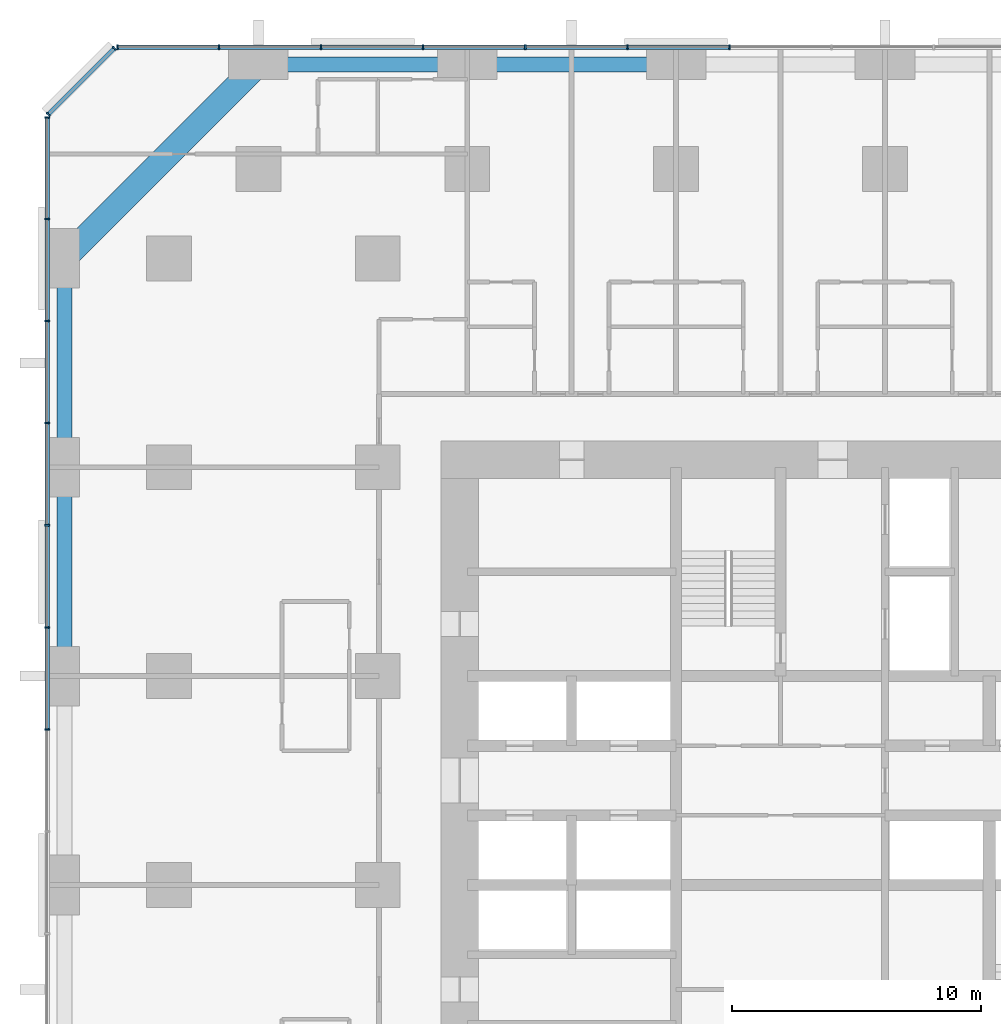
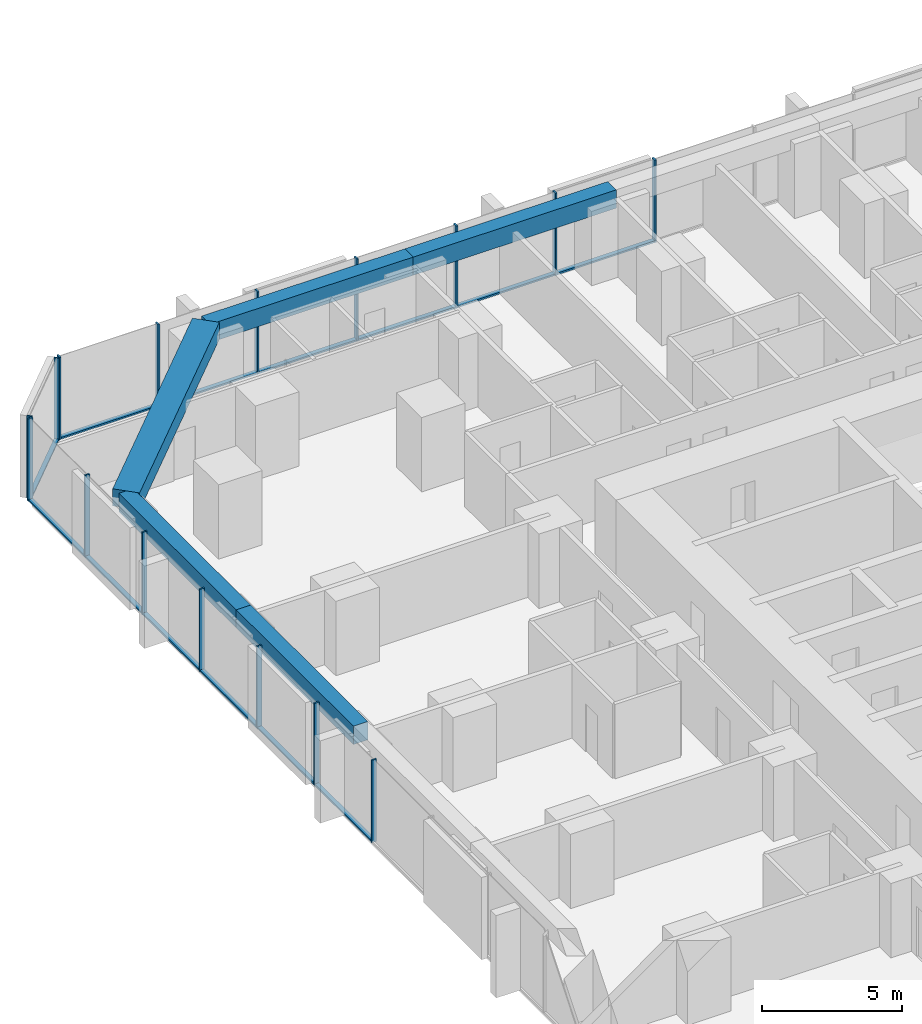
# One storey, part 6 of 17: 29 members, 5 beams, 3 elements without a shape of their own.
"""IFC4 building model written with IfcOpenShell, lengths in metres."""

import ifcopenshell
import ifcopenshell.guid

model = None  # the IFC model being written
_history = None  # IfcOwnerHistory: only IFC2X3 demands one
_inside = {}  # id of a spatial element -> (the spatial element, [elements in it])
_under = {}  # id of a project, library or spatial element -> (it, [spatial elements below it])
_declared = {}  # id of a project -> (the project, [libraries it declares])
_typed = {}  # id of a type object -> (the type object, [elements of that type])
_made_of = {}  # id of a material, layer set ... -> (it, [elements and type objects made of it])


def new_model(schema):
    """Start an empty IFC model of exactly this schema.

    Asked for "IFC4X3", IfcOpenShell would pick the latest addendum, in which some entities
    have other attributes; the version numbers below select the first issue.
    IFC2X3 requires an IfcOwnerHistory on every rooted entity: one is made here for all.
    """
    global model, _history
    if schema == "IFC4X3":
        model = ifcopenshell.file(schema_version=(4, 3, 0, 0))
    else:
        model = ifcopenshell.file(schema=schema)
    _inside.clear()
    _under.clear()
    _declared.clear()
    _typed.clear()
    _made_of.clear()
    _history = None
    if model.schema == "IFC2X3":
        org = make("IfcOrganization", Name="unknown")
        user = make(
            "IfcPersonAndOrganization",
            ThePerson=make("IfcPerson", FamilyName="unknown"),
            TheOrganization=org,
        )
        app = make(
            "IfcApplication",
            ApplicationDeveloper=org,
            Version="unknown",
            ApplicationFullName="unknown",
            ApplicationIdentifier="unknown",
        )
        _history = make(
            "IfcOwnerHistory",
            OwningUser=user,
            OwningApplication=app,
            ChangeAction="ADDED",
            CreationDate=0,
        )
    return model


def make(cls, **values):
    """One entity of the class cls with the attributes given. An attribute that is None is left unset."""
    return model.create_entity(
        cls, **{name: value for name, value in values.items() if value is not None}
    )


def rooted(cls, **values):
    """An entity with a GlobalId (a new one), such as an element, a storey or a relation."""
    return make(cls, GlobalId=ifcopenshell.guid.new(), OwnerHistory=_history, **values)


def si_unit(unit_type, name, prefix=None):
    """IfcSIUnit, for example si_unit("LENGTHUNIT", "METRE", prefix="MILLI")."""
    return make("IfcSIUnit", UnitType=unit_type, Prefix=prefix, Name=name)


def assignment(units):
    """IfcUnitAssignment: the units of a project."""
    return None if units is None else make("IfcUnitAssignment", Units=units)


def point(xyz):
    """IfcCartesianPoint."""
    return None if xyz is None else make("IfcCartesianPoint", Coordinates=xyz)


def direction(xyz):
    """IfcDirection."""
    return None if xyz is None else make("IfcDirection", DirectionRatios=xyz)


def frame(location, z_axis=None, x_axis=None):
    """IfcAxis2Placement3D, a coordinate frame: its origin and axes. An axis left out is left unset."""
    return make(
        "IfcAxis2Placement3D",
        Location=point(location),
        Axis=direction(z_axis),
        RefDirection=direction(x_axis),
    )


def frame_2d(location, x_axis=None):
    """IfcAxis2Placement2D, a coordinate frame in the plane: its origin and x axis."""
    return make(
        "IfcAxis2Placement2D", Location=point(location), RefDirection=direction(x_axis)
    )


def origin():
    """The frame at (0, 0, 0) with its axes left unset."""
    return frame((0.0, 0.0, 0.0))


def origin_2d():
    """The frame at (0, 0) in the plane with its x axis left unset."""
    return frame_2d((0.0, 0.0))


def place(relative_to, where):
    """IfcLocalPlacement: puts the frame where relative to a parent placement (None: the world)."""
    return make(
        "IfcLocalPlacement", PlacementRelTo=relative_to, RelativePlacement=where
    )


def context(
    kind, dimensions, precision=None, world=None, true_north=None, identifier=None
):
    """IfcGeometricRepresentationContext, for example the 3D "Model" context."""
    return make(
        "IfcGeometricRepresentationContext",
        ContextIdentifier=identifier,
        ContextType=kind,
        CoordinateSpaceDimension=dimensions,
        Precision=precision,
        WorldCoordinateSystem=world,
        TrueNorth=true_north,
    )


def subcontext(parent, identifier, kind, view, scale=None):
    """IfcGeometricRepresentationSubContext, for example "Body" below "Model"."""
    return make(
        "IfcGeometricRepresentationSubContext",
        ContextIdentifier=identifier,
        ContextType=kind,
        ParentContext=parent,
        TargetScale=scale,
        TargetView=view,
    )


def project(units=None, contexts=None):
    """IfcProject with its units and contexts."""
    return rooted(
        "IfcProject",
        Name="project",
        RepresentationContexts=contexts,
        UnitsInContext=assignment(units),
    )


def spatial(cls, under=None, at=None, **own):
    """A site, building, storey or space (cls), placed at a placement, below another one or the project."""
    s = rooted(cls, ObjectPlacement=at, **own)
    if under is not None:
        _under.setdefault(under.id(), (under, []))[1].append(s)
    return s


def profile(cls, at=None, kind="AREA", **sizes):
    """A parametric profile (cls). Its sizes go by their IFC names, for example OverallWidth=200.0."""
    return make(cls, ProfileType=kind, Position=at, **sizes)


def rectangle(**sizes):
    """IfcRectangleProfileDef."""
    return profile("IfcRectangleProfileDef", **sizes)


def extrude(swept, where, along, depth):
    """IfcExtrudedAreaSolid: the profile swept, set in the frame where, extruded along a direction by depth."""
    return make(
        "IfcExtrudedAreaSolid",
        SweptArea=swept,
        Position=where,
        ExtrudedDirection=direction(along),
        Depth=depth,
    )


def shape(context_of_items, identifier, shape_type, items):
    """IfcShapeRepresentation: the items that make up one representation, for example the "Body"."""
    return make(
        "IfcShapeRepresentation",
        ContextOfItems=context_of_items,
        RepresentationIdentifier=identifier,
        RepresentationType=shape_type,
        Items=items,
    )


def material(Name=None, Category=None):
    """IfcMaterial."""
    return make("IfcMaterial", Name=Name, Category=Category)


def material_profile(
    of_material, cross_section, Name=None, Category=None, Priority=None
):
    """IfcMaterialProfile: a cross section and its material."""
    return make(
        "IfcMaterialProfile",
        Name=Name,
        Material=of_material,
        Profile=cross_section,
        Priority=Priority,
        Category=Category,
    )


def profile_set(profiles, Name=None, composite=None):
    """IfcMaterialProfileSet."""
    return make(
        "IfcMaterialProfileSet",
        Name=Name,
        MaterialProfiles=profiles,
        CompositeProfile=composite,
    )


def made_of(thing, what):
    """Note that an element or type object is made of a material, layer set ...; save() writes the relation."""
    if what is not None:
        _made_of.setdefault(what.id(), (what, []))[1].append(thing)
    return thing


def type_object(cls, material=None, **own):
    """A type object (cls), such as IfcWallType, which elements share."""
    return made_of(rooted(cls, **own), material)


def element(
    cls,
    number,
    at=None,
    inside=None,
    cuts=None,
    type_object=None,
    material=None,
    context=None,
    identifier="Body",
    shape_type=None,
    held_by="IfcProductDefinitionShape",
    body=None,
    shapes=None,
    **own,
):
    """One element of the class cls, such as IfcWall. Its Tag is "e" and its number.

    at: its placement. inside: the storey or other place that contains it. cuts: it is an
    opening in that element (IfcRelVoidsElement). A single representation is given by context,
    identifier, shape_type and body (its items); several are given by shapes. held_by: the class
    of the entity that holds the representations. save() writes the other relations.
    """
    e = rooted(cls, Tag="e%d" % number, ObjectPlacement=at, **own)
    if body is not None:
        shapes = [shape(context, identifier, shape_type, body)]
    if shapes is not None:
        e.Representation = make(held_by, Representations=shapes)
    if inside is not None:
        _inside.setdefault(inside.id(), (inside, []))[1].append(e)
    if cuts is not None:
        rooted(
            "IfcRelVoidsElement", RelatingBuildingElement=cuts, RelatedOpeningElement=e
        )
    if type_object is not None:
        _typed.setdefault(type_object.id(), (type_object, []))[1].append(e)
    return made_of(e, material)


def aggregate(whole, parts):
    """IfcRelAggregates: a whole, such as a stair, and the parts it consists of."""
    return rooted("IfcRelAggregates", RelatingObject=whole, RelatedObjects=parts)


def save(model, path):
    """Write the relations noted so far, then the file.

    IfcRelAggregates (storeys below a building ...), IfcRelContainedInSpatialStructure (elements
    in a storey), IfcRelDefinesByType, IfcRelAssociatesMaterial and IfcRelDeclares: one each for
    every whole, place, type object, material and project.
    """
    for whole, parts in _under.values():
        aggregate(whole, parts)
    for where, things in _inside.values():
        rooted(
            "IfcRelContainedInSpatialStructure",
            RelatedElements=things,
            RelatingStructure=where,
        )
    for kind, things in _typed.values():
        rooted("IfcRelDefinesByType", RelatedObjects=things, RelatingType=kind)
    for what, things in _made_of.values():
        rooted("IfcRelAssociatesMaterial", RelatedObjects=things, RelatingMaterial=what)
    for by, libraries in _declared.values():
        rooted("IfcRelDeclares", RelatingContext=by, RelatedDefinitions=libraries)
    model.write(path)


model = new_model("IFC4")

# Units and contexts
model_context = context("Model", 3, precision=1e-05, world=origin(), true_north=direction((0.0, 1.0)))
body_context = subcontext(model_context, "Body", "Model", "MODEL_VIEW")
ifc_project = project(units=[si_unit("LENGTHUNIT", "METRE"), si_unit("AREAUNIT", "SQUARE_METRE"), si_unit("VOLUMEUNIT", "CUBIC_METRE"), si_unit("PLANEANGLEUNIT", "RADIAN"), si_unit("MASSUNIT", "GRAM", prefix="KILO")], contexts=[model_context])

# Site, building, storey
site_placement = place(None, origin())
site = spatial("IfcSite", under=ifc_project, at=site_placement, CompositionType="ELEMENT")
building_placement = place(site_placement, origin())
building = spatial("IfcBuilding", under=site, at=building_placement, Name="Dunama Terrace Hotel", CompositionType="ELEMENT")
storey_placement = place(building_placement, frame((0.0, 0.0, 63.0)))
storey = spatial("IfcBuildingStorey", under=building, at=storey_placement, Name="L15", CompositionType="ELEMENT", Elevation=63.0)

# Curtain wall, members
ifc_material_1 = material(Name="Aluminium curtain wall system", Category="aluminium")
curtain_wall_type = type_object("IfcCurtainWallType", Name="Unitised fritted glass wall CW-A", PredefinedType="NOTDEFINED", material=ifc_material_1)
curtain_wall_1_placement = place(storey_placement, origin())
curtain_wall_1 = element("IfcCurtainWall", 1, at=curtain_wall_1_placement, inside=storey, type_object=curtain_wall_type, Name="Unitised fritted glass wall CW-A L15", PredefinedType="NOTDEFINED")
ifc_material_2 = material(Name="Aluminium mullion", Category="aluminium")
ifc_material_profile_1 = material_profile(ifc_material_2, rectangle(XDim=0.06494140625, YDim=0.199951171875, at=origin_2d()), Name="CWA MULLION 65X200")
ifc_profile_set_1 = profile_set([ifc_material_profile_1], Name="Aluminium mullion")
member_type_1 = type_object("IfcMemberType", Name="CWA mullion 65x200", PredefinedType="MULLION", material=ifc_profile_set_1)
member_1_placement = place(storey_placement, frame((27.345947265625, 58.89990234375, 0.0), z_axis=(0.0, 0.0, 1.0), x_axis=(-1.0, 0.0, 0.0)))
member_1 = element("IfcMember", 2, at=member_1_placement, type_object=member_type_1, Name="CWA mullion", PredefinedType="MULLION", context=body_context, shape_type="SweptSolid", body=[
    extrude(rectangle(XDim=0.06494140625, YDim=0.199951171875, at=origin_2d()), origin(), (0.0, 0.0, 1.0), 3.60009765625),
])
member_2_placement = place(storey_placement, frame((23.238037109375, 58.89990234375, 0.0), z_axis=(0.0, 0.0, 1.0), x_axis=(-1.0, 0.0, 0.0)))
member_2 = element("IfcMember", 3, at=member_2_placement, type_object=member_type_1, Name="CWA mullion", PredefinedType="MULLION", context=body_context, shape_type="SweptSolid", body=[
    extrude(rectangle(XDim=0.06494140625, YDim=0.199951171875, at=origin_2d()), origin(), (0.0, 0.0, 1.0), 3.60009765625),
])
member_3_placement = place(storey_placement, frame((19.131103515625, 58.89990234375, 0.0), z_axis=(0.0, 0.0, 1.0), x_axis=(-1.0, 0.0, 0.0)))
member_3 = element("IfcMember", 4, at=member_3_placement, type_object=member_type_1, Name="CWA mullion", PredefinedType="MULLION", context=body_context, shape_type="SweptSolid", body=[
    extrude(rectangle(XDim=0.06494140625, YDim=0.199951171875, at=origin_2d()), origin(), (0.0, 0.0, 1.0), 3.60009765625),
])
member_4_placement = place(storey_placement, frame((15.02294921875, 58.89990234375, 0.0), z_axis=(0.0, 0.0, 1.0), x_axis=(-1.0, 0.0, 0.0)))
member_4 = element("IfcMember", 5, at=member_4_placement, type_object=member_type_1, Name="CWA mullion", PredefinedType="MULLION", context=body_context, shape_type="SweptSolid", body=[
    extrude(rectangle(XDim=0.06494140625, YDim=0.199951171875, at=origin_2d()), origin(), (0.0, 0.0, 1.0), 3.60009765625),
])
member_5_placement = place(storey_placement, frame((10.9150390625, 58.89990234375, 0.0), z_axis=(0.0, 0.0, 1.0), x_axis=(-1.0, 0.0, 0.0)))
member_5 = element("IfcMember", 6, at=member_5_placement, type_object=member_type_1, Name="CWA mullion", PredefinedType="MULLION", context=body_context, shape_type="SweptSolid", body=[
    extrude(rectangle(XDim=0.06494140625, YDim=0.199951171875, at=origin_2d()), origin(), (0.0, 0.0, 1.0), 3.60009765625),
])
member_6_placement = place(storey_placement, frame((6.80810546875, 58.89990234375, 0.0), z_axis=(0.0, 0.0, 1.0), x_axis=(-1.0, 0.0, 0.0)))
member_6 = element("IfcMember", 7, at=member_6_placement, type_object=member_type_1, Name="CWA mullion", PredefinedType="MULLION", context=body_context, shape_type="SweptSolid", body=[
    extrude(rectangle(XDim=0.06494140625, YDim=0.199951171875, at=origin_2d()), origin(), (0.0, 0.0, 1.0), 3.60009765625),
])
member_7_placement = place(storey_placement, frame((2.73291015625, 58.89990234375, 0.0), z_axis=(0.0, 0.0, 1.0), x_axis=(-1.0, 0.0, 0.0)))
member_7 = element("IfcMember", 8, at=member_7_placement, type_object=member_type_1, Name="CWA mullion", PredefinedType="MULLION", context=body_context, shape_type="SweptSolid", body=[
    extrude(rectangle(XDim=0.06494140625, YDim=0.199951171875, at=origin_2d()), origin(), (0.0, 0.0, 1.0), 3.60009765625),
])

curtain_wall_2_placement = place(storey_placement, origin())
curtain_wall_2 = element("IfcCurtainWall", 9, at=curtain_wall_2_placement, inside=storey, type_object=curtain_wall_type, Name="Unitised fritted glass wall CW-A L15", PredefinedType="NOTDEFINED")
member_8_placement = place(storey_placement, frame((2.60595703125, 58.847900390625, 0.0), z_axis=(0.0, 0.0, 1.0), x_axis=(-0.707106781187, -0.707106781187, 0.0)))
member_8 = element("IfcMember", 10, at=member_8_placement, type_object=member_type_1, Name="CWA mullion", PredefinedType="MULLION", context=body_context, shape_type="SweptSolid", body=[
    extrude(rectangle(XDim=0.06494140625, YDim=0.199951171875, at=origin_2d()), origin(), (0.0, 0.0, 1.0), 3.60009765625),
])
member_9_placement = place(storey_placement, frame((-0.048095703125, 56.194091796875, 0.0), z_axis=(0.0, 0.0, 1.0), x_axis=(-0.707106781187, -0.707106781187, 0.0)))
member_9 = element("IfcMember", 11, at=member_9_placement, type_object=member_type_1, Name="CWA mullion", PredefinedType="MULLION", context=body_context, shape_type="SweptSolid", body=[
    extrude(rectangle(XDim=0.06494140625, YDim=0.199951171875, at=origin_2d()), origin(), (0.0, 0.0, 1.0), 3.60009765625),
])

curtain_wall_3_placement = place(storey_placement, origin())
curtain_wall_3 = element("IfcCurtainWall", 12, at=curtain_wall_3_placement, inside=storey, type_object=curtain_wall_type, Name="Unitised fritted glass wall CW-A L15", PredefinedType="NOTDEFINED")
member_10_placement = place(storey_placement, frame((-0.10009765625, 56.06689453125, 0.0), z_axis=(0.0, 0.0, 1.0), x_axis=(0.0, -1.0, 0.0)))
member_10 = element("IfcMember", 13, at=member_10_placement, type_object=member_type_1, Name="CWA mullion", PredefinedType="MULLION", context=body_context, shape_type="SweptSolid", body=[
    extrude(rectangle(XDim=0.06494140625, YDim=0.199951171875, at=origin_2d()), origin(), (0.0, 0.0, 1.0), 3.60009765625),
])
member_11_placement = place(storey_placement, frame((-0.10009765625, 51.991943359375, 0.0), z_axis=(0.0, 0.0, 1.0), x_axis=(0.0, -1.0, 0.0)))
member_11 = element("IfcMember", 14, at=member_11_placement, type_object=member_type_1, Name="CWA mullion", PredefinedType="MULLION", context=body_context, shape_type="SweptSolid", body=[
    extrude(rectangle(XDim=0.06494140625, YDim=0.199951171875, at=origin_2d()), origin(), (0.0, 0.0, 1.0), 3.60009765625),
])
member_12_placement = place(storey_placement, frame((-0.10009765625, 47.885009765625, 0.0), z_axis=(0.0, 0.0, 1.0), x_axis=(0.0, -1.0, 0.0)))
member_12 = element("IfcMember", 15, at=member_12_placement, type_object=member_type_1, Name="CWA mullion", PredefinedType="MULLION", context=body_context, shape_type="SweptSolid", body=[
    extrude(rectangle(XDim=0.06494140625, YDim=0.199951171875, at=origin_2d()), origin(), (0.0, 0.0, 1.0), 3.60009765625),
])
member_13_placement = place(storey_placement, frame((-0.10009765625, 43.777099609375, 0.0), z_axis=(0.0, 0.0, 1.0), x_axis=(0.0, -1.0, 0.0)))
member_13 = element("IfcMember", 16, at=member_13_placement, type_object=member_type_1, Name="CWA mullion", PredefinedType="MULLION", context=body_context, shape_type="SweptSolid", body=[
    extrude(rectangle(XDim=0.06494140625, YDim=0.199951171875, at=origin_2d()), origin(), (0.0, 0.0, 1.0), 3.60009765625),
])
member_14_placement = place(storey_placement, frame((-0.10009765625, 39.6689453125, 0.0), z_axis=(0.0, 0.0, 1.0), x_axis=(0.0, -1.0, 0.0)))
member_14 = element("IfcMember", 17, at=member_14_placement, type_object=member_type_1, Name="CWA mullion", PredefinedType="MULLION", context=body_context, shape_type="SweptSolid", body=[
    extrude(rectangle(XDim=0.06494140625, YDim=0.199951171875, at=origin_2d()), origin(), (0.0, 0.0, 1.0), 3.60009765625),
])
member_15_placement = place(storey_placement, frame((-0.10009765625, 35.56201171875, 0.0), z_axis=(0.0, 0.0, 1.0), x_axis=(0.0, -1.0, 0.0)))
member_15 = element("IfcMember", 18, at=member_15_placement, type_object=member_type_1, Name="CWA mullion", PredefinedType="MULLION", context=body_context, shape_type="SweptSolid", body=[
    extrude(rectangle(XDim=0.06494140625, YDim=0.199951171875, at=origin_2d()), origin(), (0.0, 0.0, 1.0), 3.60009765625),
])
member_16_placement = place(storey_placement, frame((-0.10009765625, 31.4541015625, 0.0), z_axis=(0.0, 0.0, 1.0), x_axis=(0.0, -1.0, 0.0)))
member_16 = element("IfcMember", 19, at=member_16_placement, type_object=member_type_1, Name="CWA mullion", PredefinedType="MULLION", context=body_context, shape_type="SweptSolid", body=[
    extrude(rectangle(XDim=0.06494140625, YDim=0.199951171875, at=origin_2d()), origin(), (0.0, 0.0, 1.0), 3.60009765625),
])

# Member
ifc_material_3 = material(Name="Aluminium transom", Category="aluminium")
ifc_material_profile_2 = material_profile(ifc_material_3, rectangle(XDim=0.179931640625, YDim=0.074951171875, at=origin_2d()), Name="CWA TRANSOM 180X75")
ifc_profile_set_2 = profile_set([ifc_material_profile_2], Name="Aluminium transom")
member_type_2 = type_object("IfcMemberType", Name="CWA transom 180x75", PredefinedType="USERDEFINED", material=ifc_profile_set_2)
member_17_placement = place(storey_placement, frame((27.31396484375, 58.89990234375, 0.03759765625), z_axis=(-1.0, 0.0, 0.0), x_axis=(0.0, -1.0, 0.0)))
member_17 = element("IfcMember", 20, at=member_17_placement, type_object=member_type_2, Name="CWA transom", ObjectType="TRANSOM", PredefinedType="USERDEFINED", context=body_context, shape_type="SweptSolid", body=[
    extrude(rectangle(XDim=0.179931640625, YDim=0.074951171875, at=origin_2d()), origin(), (0.0, 0.0, 1.0), 4.04296875),
])

member_18_placement = place(storey_placement, frame((23.2060546875, 58.89990234375, 0.03759765625), z_axis=(-1.0, 0.0, 0.0), x_axis=(0.0, -1.0, 0.0)))
member_18 = element("IfcMember", 21, at=member_18_placement, type_object=member_type_2, Name="CWA transom", ObjectType="TRANSOM", PredefinedType="USERDEFINED", context=body_context, shape_type="SweptSolid", body=[
    extrude(rectangle(XDim=0.179931640625, YDim=0.074951171875, at=origin_2d()), origin(), (0.0, 0.0, 1.0), 4.04296875),
])

member_19_placement = place(storey_placement, frame((19.097900390625, 58.89990234375, 0.03759765625), z_axis=(-1.0, 0.0, 0.0), x_axis=(0.0, -1.0, 0.0)))
member_19 = element("IfcMember", 22, at=member_19_placement, type_object=member_type_2, Name="CWA transom", ObjectType="TRANSOM", PredefinedType="USERDEFINED", context=body_context, shape_type="SweptSolid", body=[
    extrude(rectangle(XDim=0.179931640625, YDim=0.074951171875, at=origin_2d()), origin(), (0.0, 0.0, 1.0), 4.0419921875),
])

member_20_placement = place(storey_placement, frame((14.990966796875, 58.89990234375, 0.03759765625), z_axis=(-1.0, 0.0, 0.0), x_axis=(0.0, -1.0, 0.0)))
member_20 = element("IfcMember", 23, at=member_20_placement, type_object=member_type_2, Name="CWA transom", ObjectType="TRANSOM", PredefinedType="USERDEFINED", context=body_context, shape_type="SweptSolid", body=[
    extrude(rectangle(XDim=0.179931640625, YDim=0.074951171875, at=origin_2d()), origin(), (0.0, 0.0, 1.0), 4.04296875),
])

member_21_placement = place(storey_placement, frame((10.883056640625, 58.89990234375, 0.03759765625), z_axis=(-1.0, 0.0, 0.0), x_axis=(0.0, -1.0, 0.0)))
member_21 = element("IfcMember", 24, at=member_21_placement, type_object=member_type_2, Name="CWA transom", ObjectType="TRANSOM", PredefinedType="USERDEFINED", context=body_context, shape_type="SweptSolid", body=[
    extrude(rectangle(XDim=0.179931640625, YDim=0.074951171875, at=origin_2d()), origin(), (0.0, 0.0, 1.0), 4.04296875),
])

member_22_placement = place(storey_placement, frame((6.77490234375, 58.89990234375, 0.03759765625), z_axis=(-1.0, 0.0, 0.0), x_axis=(0.0, -1.0, 0.0)))
member_22 = element("IfcMember", 25, at=member_22_placement, type_object=member_type_2, Name="CWA transom", ObjectType="TRANSOM", PredefinedType="USERDEFINED", context=body_context, shape_type="SweptSolid", body=[
    extrude(rectangle(XDim=0.179931640625, YDim=0.074951171875, at=origin_2d()), origin(), (0.0, 0.0, 1.0), 4.010009765625),
])

aggregate(curtain_wall_1, [member_1, member_2, member_3, member_4, member_5, member_6, member_7, member_17, member_18, member_19, member_20, member_21, member_22])

member_23_placement = place(storey_placement, frame((2.5830078125, 58.824951171875, 0.03759765625), z_axis=(-0.707106781187, -0.707106781187, 0.0), x_axis=(0.707106781187, -0.707106781187, 0.0)))
member_23 = element("IfcMember", 26, at=member_23_placement, type_object=member_type_2, Name="CWA transom", ObjectType="TRANSOM", PredefinedType="USERDEFINED", context=body_context, shape_type="SweptSolid", body=[
    extrude(rectangle(XDim=0.179931640625, YDim=0.074951171875, at=origin_2d()), origin(), (0.0, 0.0, 1.0), 3.688232421875),
])

aggregate(curtain_wall_2, [member_8, member_9, member_23])

member_24_placement = place(storey_placement, frame((-0.10009765625, 56.034912109375, 0.03759765625), z_axis=(0.0, -1.0, 0.0), x_axis=(1.0, 0.0, 0.0)))
member_24 = element("IfcMember", 27, at=member_24_placement, type_object=member_type_2, Name="CWA transom", ObjectType="TRANSOM", PredefinedType="USERDEFINED", context=body_context, shape_type="SweptSolid", body=[
    extrude(rectangle(XDim=0.179931640625, YDim=0.074951171875, at=origin_2d()), origin(), (0.0, 0.0, 1.0), 4.010009765625),
])

member_25_placement = place(storey_placement, frame((-0.10009765625, 51.9599609375, 0.03759765625), z_axis=(0.0, -1.0, 0.0), x_axis=(1.0, 0.0, 0.0)))
member_25 = element("IfcMember", 28, at=member_25_placement, type_object=member_type_2, Name="CWA transom", ObjectType="TRANSOM", PredefinedType="USERDEFINED", context=body_context, shape_type="SweptSolid", body=[
    extrude(rectangle(XDim=0.179931640625, YDim=0.074951171875, at=origin_2d()), origin(), (0.0, 0.0, 1.0), 4.04296875),
])

member_26_placement = place(storey_placement, frame((-0.10009765625, 47.85205078125, 0.03759765625), z_axis=(0.0, -1.0, 0.0), x_axis=(1.0, 0.0, 0.0)))
member_26 = element("IfcMember", 29, at=member_26_placement, type_object=member_type_2, Name="CWA transom", ObjectType="TRANSOM", PredefinedType="USERDEFINED", context=body_context, shape_type="SweptSolid", body=[
    extrude(rectangle(XDim=0.179931640625, YDim=0.074951171875, at=origin_2d()), origin(), (0.0, 0.0, 1.0), 4.04296875),
])

member_27_placement = place(storey_placement, frame((-0.10009765625, 43.743896484375, 0.03759765625), z_axis=(0.0, -1.0, 0.0), x_axis=(1.0, 0.0, 0.0)))
member_27 = element("IfcMember", 30, at=member_27_placement, type_object=member_type_2, Name="CWA transom", ObjectType="TRANSOM", PredefinedType="USERDEFINED", context=body_context, shape_type="SweptSolid", body=[
    extrude(rectangle(XDim=0.179931640625, YDim=0.074951171875, at=origin_2d()), origin(), (0.0, 0.0, 1.0), 4.0419921875),
])

member_28_placement = place(storey_placement, frame((-0.10009765625, 39.636962890625, 0.03759765625), z_axis=(0.0, -1.0, 0.0), x_axis=(1.0, 0.0, 0.0)))
member_28 = element("IfcMember", 31, at=member_28_placement, type_object=member_type_2, Name="CWA transom", ObjectType="TRANSOM", PredefinedType="USERDEFINED", context=body_context, shape_type="SweptSolid", body=[
    extrude(rectangle(XDim=0.179931640625, YDim=0.074951171875, at=origin_2d()), origin(), (0.0, 0.0, 1.0), 4.04296875),
])

member_29_placement = place(storey_placement, frame((-0.10009765625, 35.529052734375, 0.03759765625), z_axis=(0.0, -1.0, 0.0), x_axis=(1.0, 0.0, 0.0)))
member_29 = element("IfcMember", 32, at=member_29_placement, type_object=member_type_2, Name="CWA transom", ObjectType="TRANSOM", PredefinedType="USERDEFINED", context=body_context, shape_type="SweptSolid", body=[
    extrude(rectangle(XDim=0.179931640625, YDim=0.074951171875, at=origin_2d()), origin(), (0.0, 0.0, 1.0), 4.04296875),
])

aggregate(curtain_wall_3, [member_10, member_11, member_12, member_13, member_14, member_15, member_16, member_24, member_25, member_26, member_27, member_28, member_29])

# Beams
ifc_material_4 = material(Name="Concrete C50/60", Category="concrete")
ifc_material_profile_3 = material_profile(ifc_material_4, rectangle(XDim=1.0, YDim=0.75, at=origin_2d()), Name="RC 1000x750")
ifc_profile_set_3 = profile_set([ifc_material_profile_3], Name="Concrete C50/60")
beam_type_1 = type_object("IfcBeamType", Name="Edge beam RC 1000x750", PredefinedType="SPANDREL", material=ifc_profile_set_3)
beam_1_placement = place(storey_placement, frame((8.39990234375, 58.199951171875, 3.22509765625), z_axis=(-0.707095714747, -0.707117847453, 0.0), x_axis=(0.707117847453, -0.707095714747, 0.0)))
element("IfcBeam", 33, at=beam_1_placement, inside=storey, type_object=beam_type_1, Name="Corner edge beam under L16", PredefinedType="SPANDREL", context=body_context, shape_type="SweptSolid", body=[
    extrude(rectangle(XDim=1.0, YDim=0.75, at=origin_2d()), origin(), (0.0, 0.0, 1.0), 11.03076171875),
])
ifc_material_5 = material(Name="Concrete C40/50", Category="concrete")
ifc_material_profile_4 = material_profile(ifc_material_5, rectangle(XDim=0.60009765625, YDim=0.800048828125, at=origin_2d()), Name="RC 600x800")
ifc_profile_set_4 = profile_set([ifc_material_profile_4], Name="Concrete C40/50")
beam_type_2 = type_object("IfcBeamType", Name="Edge beam RC 600x800", PredefinedType="SPANDREL", material=ifc_profile_set_4)
for number, where, z_axis, x_axis, name in (
    (34, (0.60009765625, 33.60009765625, 3.199951171875), (0.0, 1.0, 0.0), (-1.0, 0.0, 0.0), "Edge beam under L16"),
    (35, (0.60009765625, 42.0, 3.199951171875), (0.0, 1.0, 0.0), (-1.0, 0.0, 0.0), "Edge beam under L16"),
):
    element("IfcBeam", number, at=place(storey_placement, frame(where, z_axis=z_axis, x_axis=x_axis)), inside=storey, type_object=beam_type_2, Name=name, PredefinedType="SPANDREL", context=body_context, shape_type="SweptSolid", body=[
        extrude(rectangle(XDim=0.60009765625, YDim=0.800048828125, at=origin_2d()), origin(), (0.0, 0.0, 1.0), 8.39990234375),
    ])
beam_2_placement = place(storey_placement, frame((8.39990234375, 58.199951171875, 3.199951171875), z_axis=(1.0, 0.0, 0.0), x_axis=(0.0, 1.0, 0.0)))
element("IfcBeam", 36, at=beam_2_placement, inside=storey, type_object=beam_type_2, Name="Edge beam under L16", PredefinedType="SPANDREL", context=body_context, shape_type="SweptSolid", body=[
    extrude(rectangle(XDim=0.60009765625, YDim=0.800048828125, at=origin_2d()), origin(), (0.0, 0.0, 1.0), 8.400146484375),
])
beam_3_placement = place(storey_placement, frame((16.800048828125, 58.199951171875, 3.199951171875), z_axis=(1.0, 0.0, 0.0), x_axis=(0.0, 1.0, 0.0)))
element("IfcBeam", 37, at=beam_3_placement, inside=storey, type_object=beam_type_2, Name="Edge beam under L16", PredefinedType="SPANDREL", context=body_context, shape_type="SweptSolid", body=[
    extrude(rectangle(XDim=0.60009765625, YDim=0.800048828125, at=origin_2d()), origin(), (0.0, 0.0, 1.0), 8.39990234375),
])

save(model, "model.ifc")
